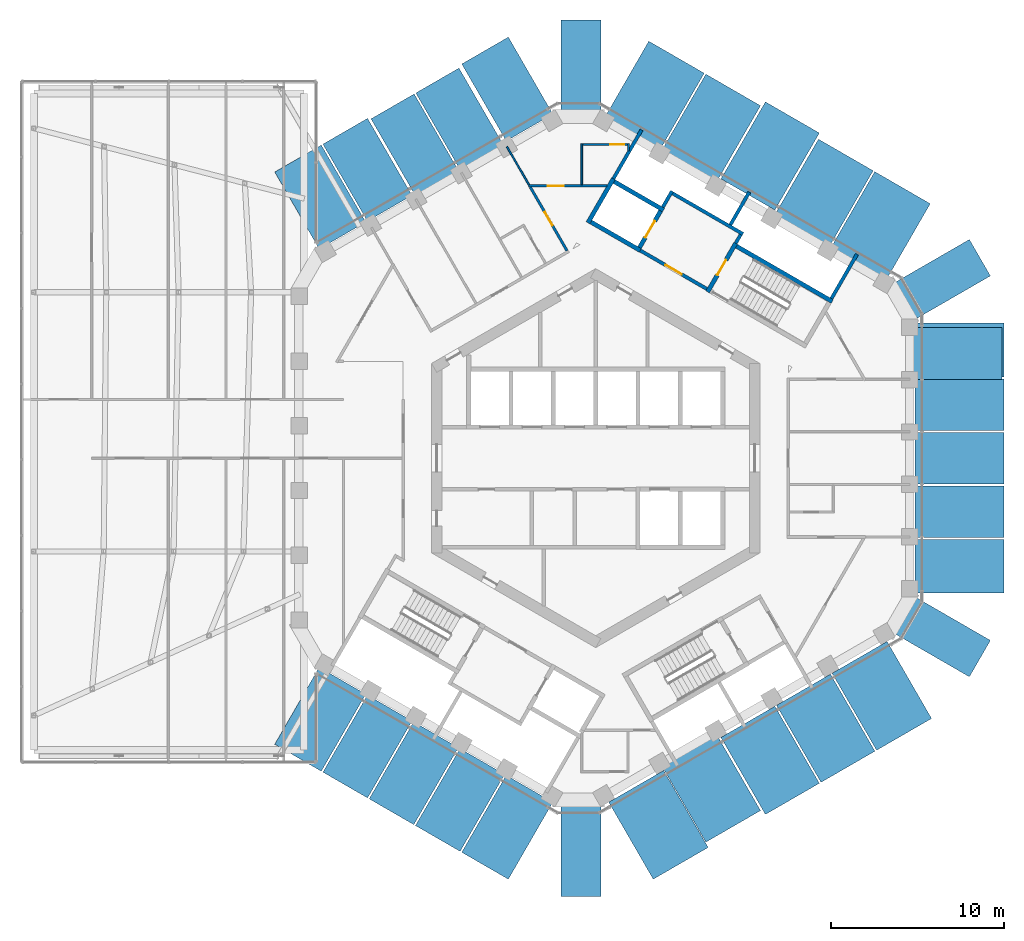
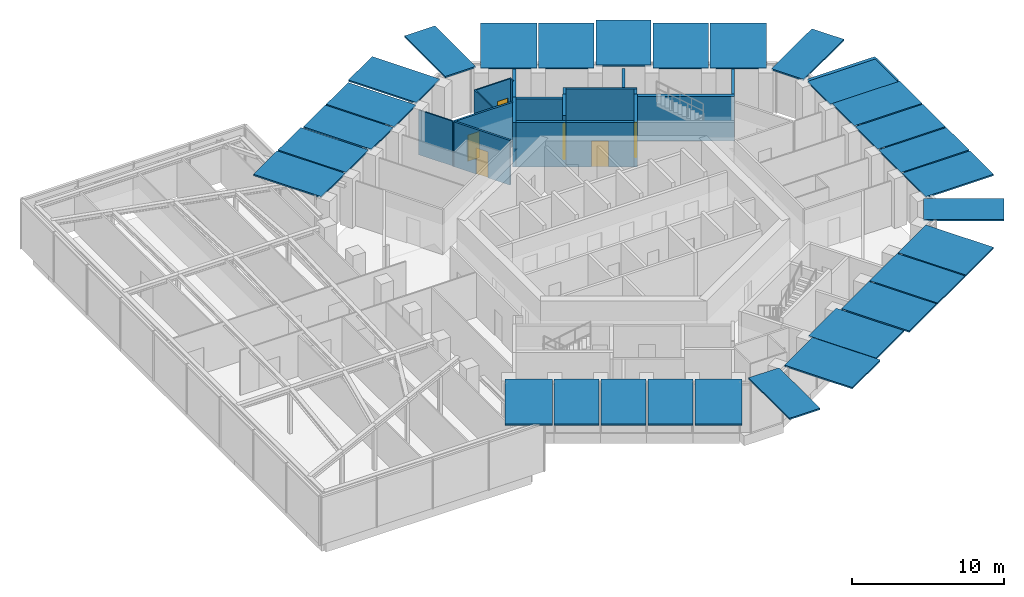
# One storey, part 19 of 24: 30 discrete accessories, 19 walls, 6 doors, 6 openings.
"""IFC4 building model written with IfcOpenShell, lengths in metres."""

from ifc_helpers import new_model, si_unit, direction, frame, frame_2d, origin, origin_2d, place, context, subcontext, project, spatial, polyline, rectangle, outline, extrude, material, layer, layer_set, type_object, element, fill, save


model = new_model("IFC4")

# Units and contexts
model_context = context("Model", 3, precision=1e-05, world=origin(), true_north=direction((0.0, 1.0)))
body_context = subcontext(model_context, "Body", "Model", "MODEL_VIEW")
ifc_project = project(units=[si_unit("LENGTHUNIT", "METRE"), si_unit("AREAUNIT", "SQUARE_METRE"), si_unit("VOLUMEUNIT", "CUBIC_METRE"), si_unit("PLANEANGLEUNIT", "RADIAN"), si_unit("MASSUNIT", "GRAM", prefix="KILO")], contexts=[model_context])

# Site, building, storey
site_placement = place(None, origin())
site = spatial("IfcSite", under=ifc_project, at=site_placement, CompositionType="ELEMENT")
building_placement = place(site_placement, origin())
building = spatial("IfcBuilding", under=site, at=building_placement, Name="Ayvan Gate Tower", CompositionType="ELEMENT")
storey_placement = place(building_placement, frame((0.0, 0.0, 210.10009765625)))
storey = spatial("IfcBuildingStorey", under=building, at=storey_placement, Name="L56", CompositionType="ELEMENT", Elevation=210.10009765625)

# Wall, opening, door
ifc_material_1 = material(Name="Plasterboard on steel stud", Category="steel")
ifc_layer_1 = layer(ifc_material_1, 0.14990234375)
ifc_layer_set_1 = layer_set([ifc_layer_1], Name="Plasterboard on steel stud")
wall_type_1 = type_object("IfcWallType", Name="WT-CORR-150", PredefinedType="PARTITIONING", material=ifc_layer_set_1)
wall_1_placement = place(storey_placement, frame((-3.8994140625, 15.75732421875, 0.0), z_axis=(0.0, 0.0, 1.0), x_axis=(1.0, 0.0, 0.0)))
wall_1 = element("IfcWall", 1, at=wall_1_placement, inside=storey, type_object=wall_type_1, Name="IW-L56-037", PredefinedType="PARTITIONING", context=body_context, shape_type="SweptSolid", body=[
    extrude(rectangle(XDim=4.55810546875, YDim=0.14990234375, at=frame_2d((2.279052734375, 0.0))), origin(), (0.0, 0.0, 1.0), 3.599853515625),
])
opening_1_placement = place(wall_1_placement, frame((1.138916015625, 0.0, 0.0)))
opening_1 = element("IfcOpeningElement", 2, at=opening_1_placement, cuts=wall_1, Name="Opening L56-D27", PredefinedType="OPENING", context=body_context, shape_type="SweptSolid", body=[
    extrude(rectangle(XDim=0.89990234375, YDim=2.10009765625, at=frame_2d((0.449951171875, 1.050048828125))), frame((0.0, 0.0849609375, 0.0), z_axis=(0.0, -1.0, 0.0), x_axis=(1.0, 0.0, 0.0)), (0.0, 0.0, 1.0), 0.169921875),
])
ifc_material_2 = material(Name="Timber door leaf", Category="wood")
door_type_1 = type_object("IfcDoorType", Name="DT-900", OperationType="NOTDEFINED", PredefinedType="DOOR", material=ifc_material_2)
door_1_placement = place(opening_1_placement, origin())
door_1 = element("IfcDoor", 3, at=door_1_placement, inside=storey, type_object=door_type_1, Name="ID-L56-027", OperationType="SINGLE_SWING_LEFT", OverallHeight=2.10009765625, OverallWidth=0.89990234375, PredefinedType="DOOR", context=body_context, shape_type="SweptSolid", body=[
    extrude(rectangle(XDim=0.89990234375, YDim=2.10009765625, at=frame_2d((0.449951171875, 1.050048828125))), frame((0.0, 0.02490234375, 0.0), z_axis=(0.0, -1.0, 0.0), x_axis=(1.0, 0.0, 0.0)), (0.0, 0.0, 1.0), 0.050048828125),
])
fill(opening_1, door_1)

wall_2_placement = place(storey_placement, frame((-1.65771484375, 12.00439453125, 0.0), z_axis=(0.0, 0.0, 1.0), x_axis=(-0.500023511883, 0.866011828767, 0.0)))
wall_2 = element("IfcWall", 4, at=wall_2_placement, inside=storey, type_object=wall_type_1, Name="IW-L56-047", PredefinedType="PARTITIONING", context=body_context, shape_type="SweptSolid", body=[
    extrude(rectangle(XDim=4.258544921875, YDim=0.14990234375, at=frame_2d((2.12939453125, 0.0))), origin(), (0.0, 0.0, 1.0), 3.599853515625),
])
opening_2_placement = place(wall_2_placement, frame((1.67919921875, 0.0, 0.0)))
opening_2 = element("IfcOpeningElement", 5, at=opening_2_placement, cuts=wall_2, Name="Opening L56-D32", PredefinedType="OPENING", context=body_context, shape_type="SweptSolid", body=[
    extrude(rectangle(XDim=0.89990234375, YDim=2.10009765625, at=frame_2d((0.449951171875, 1.050048828125))), frame((0.0, 0.0849609375, 0.0), z_axis=(0.0, -1.0, 0.0), x_axis=(1.0, 0.0, 0.0)), (0.0, 0.0, 1.0), 0.169921875),
])
door_2_placement = place(opening_2_placement, origin())
door_2 = element("IfcDoor", 6, at=door_2_placement, inside=storey, type_object=door_type_1, Name="ID-L56-032", OperationType="SINGLE_SWING_RIGHT", OverallHeight=2.10009765625, OverallWidth=0.89990234375, PredefinedType="DOOR", context=body_context, shape_type="SweptSolid", body=[
    extrude(rectangle(XDim=0.89990234375, YDim=2.10009765625, at=frame_2d((0.449951171875, 1.050048828125))), frame((0.0, 0.02490234375, 0.0), z_axis=(0.0, -1.0, 0.0), x_axis=(1.0, 0.0, 0.0)), (0.0, 0.0, 1.0), 0.050048828125),
])
fill(opening_2, door_2)

# Walls
ifc_layer_2 = layer(ifc_material_1, 0.10009765625)
ifc_layer_set_2 = layer_set([ifc_layer_2], Name="Plasterboard on steel stud")
wall_type_2 = type_object("IfcWallType", Name="WT-PART-100", PredefinedType="PARTITIONING", material=ifc_layer_set_2)
wall_3_placement = place(storey_placement, frame((-3.862060546875, 15.822509765625, 0.0), z_axis=(0.0, 0.0, 1.0), x_axis=(-0.5000066933, 0.866021539371, 0.0)))
element("IfcWall", 7, at=wall_3_placement, inside=storey, type_object=wall_type_2, Name="IW-L56-036", PredefinedType="PARTITIONING", context=body_context, shape_type="SweptSolid", body=[
    extrude(rectangle(XDim=2.552734375, YDim=0.10009765625, at=frame_2d((1.2763671875, 0.0))), origin(), (0.0, 0.0, 1.0), 3.599853515625),
])
wall_4_placement = place(storey_placement, frame((-0.801025390625, 18.20751953125, 0.0), z_axis=(0.0, 0.0, 1.0), x_axis=(0.0, -1.0, 0.0)))
element("IfcWall", 8, at=wall_4_placement, inside=storey, type_object=wall_type_2, Name="IW-L56-053", PredefinedType="PARTITIONING", context=body_context, shape_type="SweptSolid", body=[
    extrude(rectangle(XDim=2.375, YDim=0.10009765625, at=frame_2d((1.1875, 0.0))), origin(), (0.0, 0.0, 1.0), 3.599853515625),
])
wall_5_placement = place(storey_placement, frame((1.89892578125, 17.7890625, 0.0), z_axis=(0.0, 0.0, 1.0), x_axis=(0.0, 1.0, 0.0)))
element("IfcWall", 9, at=wall_5_placement, inside=storey, type_object=wall_type_2, Name="IW-L56-064", PredefinedType="PARTITIONING", context=body_context, shape_type="SweptSolid", body=[
    extrude(rectangle(XDim=0.41845703125, YDim=0.10009765625, at=frame_2d((0.209228515625, 0.0))), origin(), (0.0, 0.0, 1.0), 3.599853515625),
])

# Wall, opening, door
wall_6_placement = place(storey_placement, frame((1.84912109375, 18.157470703125, 0.0), z_axis=(0.0, 0.0, 1.0), x_axis=(-1.0, 0.0, 0.0)))
wall_6 = element("IfcWall", 10, at=wall_6_placement, inside=storey, type_object=wall_type_2, Name="IW-L56-065", PredefinedType="PARTITIONING", context=body_context, shape_type="SweptSolid", body=[
    extrude(rectangle(XDim=2.60009765625, YDim=0.10009765625, at=frame_2d((1.300048828125, 0.0))), origin(), (0.0, 0.0, 1.0), 3.599853515625),
])
opening_3_placement = place(wall_6_placement, frame((0.199951171875, 0.0, 0.0)))
opening_3 = element("IfcOpeningElement", 11, at=opening_3_placement, cuts=wall_6, Name="Opening L56-D28", PredefinedType="OPENING", context=body_context, shape_type="SweptSolid", body=[
    extrude(rectangle(XDim=0.800048828125, YDim=2.10009765625, at=frame_2d((0.39990234375, 1.050048828125))), frame((0.0, 0.06005859375, 0.0), z_axis=(0.0, -1.0, 0.0), x_axis=(1.0, 0.0, 0.0)), (0.0, 0.0, 1.0), 0.1201171875),
])
door_type_2 = type_object("IfcDoorType", Name="DT-800", OperationType="NOTDEFINED", PredefinedType="DOOR", material=ifc_material_2)
door_3_placement = place(opening_3_placement, origin())
door_3 = element("IfcDoor", 12, at=door_3_placement, inside=storey, type_object=door_type_2, Name="ID-L56-028", OperationType="SINGLE_SWING_RIGHT", OverallHeight=2.10009765625, OverallWidth=0.800048828125, PredefinedType="DOOR", context=body_context, shape_type="SweptSolid", body=[
    extrude(rectangle(XDim=0.800048828125, YDim=2.10009765625, at=frame_2d((0.39990234375, 1.050048828125))), frame((0.0, 0.02490234375, 0.0), z_axis=(0.0, -1.0, 0.0), x_axis=(1.0, 0.0, 0.0)), (0.0, 0.0, 1.0), 0.050048828125),
])
fill(opening_3, door_3)

# Walls
ifc_layer_3 = layer(ifc_material_1, 0.199951171875)
ifc_layer_set_3 = layer_set([ifc_layer_3], Name="Plasterboard on steel stud")
wall_type_3 = type_object("IfcWallType", Name="WT-PLUMB-200", PredefinedType="PLUMBINGWALL", material=ifc_layer_set_3)
wall_7_placement = place(storey_placement, frame((1.027099609375, 16.178955078125, 0.0), z_axis=(0.0, 0.0, 1.0), x_axis=(0.49995397877, 0.866051972524, 0.0)))
element("IfcWall", 13, at=wall_7_placement, inside=storey, type_object=wall_type_3, Name="IW-L56-059", PredefinedType="PLUMBINGWALL", context=body_context, shape_type="SweptSolid", body=[
    extrude(rectangle(XDim=3.255615234375, YDim=0.199951171875, at=frame_2d((1.6279296875, 0.0))), origin(), (0.0, 0.0, 1.0), 3.599853515625),
])
wall_8_placement = place(storey_placement, frame((3.885009765625, 14.52880859375, 0.0), z_axis=(0.0, 0.0, 1.0), x_axis=(0.499997628298, 0.866026773083, 0.0)))
element("IfcWall", 14, at=wall_8_placement, inside=storey, type_object=wall_type_3, Name="IW-L56-073", PredefinedType="PLUMBINGWALL", context=body_context, shape_type="SweptSolid", body=[
    extrude(rectangle(XDim=1.0751953125, YDim=0.199951171875, at=frame_2d((0.53759765625, 0.0))), origin(), (0.0, 0.0, 1.0), 3.599853515625),
])
wall_9_placement = place(storey_placement, frame((4.458984375, 15.323486328125, 0.0), z_axis=(0.0, 0.0, 1.0), x_axis=(0.866016039709, -0.500016218704, 0.0)))
element("IfcWall", 15, at=wall_9_placement, inside=storey, type_object=wall_type_3, Name="IW-L56-074", PredefinedType="PLUMBINGWALL", context=body_context, shape_type="SweptSolid", body=[
    extrude(rectangle(XDim=4.699951171875, YDim=0.199951171875, at=frame_2d((2.35009765625, 0.0))), origin(), (0.0, 0.0, 1.0), 3.599853515625),
])
wall_10_placement = place(storey_placement, frame((7.800048828125, 13.510009765625, 0.0), z_axis=(0.0, 0.0, 1.0), x_axis=(0.500016430238, 0.866015917575, 0.0)))
element("IfcWall", 16, at=wall_10_placement, inside=storey, type_object=wall_type_3, Name="IW-L56-088", PredefinedType="PLUMBINGWALL", context=body_context, shape_type="SweptSolid", body=[
    extrude(rectangle(XDim=2.1806640625, YDim=0.199951171875, at=frame_2d((1.09033203125, 0.0))), origin(), (0.0, 0.0, 1.0), 3.599853515625),
])
wall_11_placement = place(storey_placement, frame((8.392822265625, 12.936767578125, 0.0), z_axis=(0.0, 0.0, 1.0), x_axis=(-0.500065409566, -0.86598763626, 0.0)))
element("IfcWall", 17, at=wall_11_placement, inside=storey, type_object=wall_type_3, Name="IW-L56-090", PredefinedType="PLUMBINGWALL", context=body_context, shape_type="SweptSolid", body=[
    extrude(rectangle(XDim=0.5751953125, YDim=0.199951171875, at=frame_2d((0.28759765625, 0.0))), origin(), (0.0, 0.0, 1.0), 3.599853515625),
])
wall_12_placement = place(storey_placement, frame((15.125732421875, 11.798583984375, 0.0), z_axis=(0.0, 0.0, 1.0), x_axis=(-0.499967936676, -0.866043914762, 0.0)))
element("IfcWall", 18, at=wall_12_placement, inside=storey, type_object=wall_type_3, Name="IW-L56-104", PredefinedType="PLUMBINGWALL", context=body_context, shape_type="SweptSolid", body=[
    extrude(rectangle(XDim=2.955810546875, YDim=0.199951171875, at=frame_2d((1.47802734375, 0.0))), origin(), (0.0, 0.0, 1.0), 3.599853515625),
])

# Wall, opening, door
ifc_layer_4 = layer(ifc_material_1, 0.199951171875)
ifc_layer_set_4 = layer_set([ifc_layer_4], Name="Plasterboard on steel stud")
wall_type_4 = type_object("IfcWallType", Name="WT-RATED-200", PredefinedType="PARTITIONING", material=ifc_layer_set_4)
wall_13_placement = place(storey_placement, frame((6.4345703125, 9.794921875, 0.0), z_axis=(0.0, 0.0, 1.0), x_axis=(-0.866012907634, 0.500021643343, 0.0)))
wall_13 = element("IfcWall", 19, at=wall_13_placement, inside=storey, type_object=wall_type_4, Name="IW-L56-079", PredefinedType="PARTITIONING", context=body_context, shape_type="SweptSolid", body=[
    extrude(rectangle(XDim=4.449951171875, YDim=0.199951171875, at=frame_2d((2.22509765625, 0.0))), origin(), (0.0, 0.0, 1.0), 3.599853515625),
])
opening_4_placement = place(wall_13_placement, frame((1.675048828125, 0.0, 0.0)))
opening_4 = element("IfcOpeningElement", 20, at=opening_4_placement, cuts=wall_13, Name="Opening L56-D13", PredefinedType="OPENING", context=body_context, shape_type="SweptSolid", body=[
    extrude(rectangle(XDim=1.10009765625, YDim=2.10009765625, at=frame_2d((0.550048828125, 1.050048828125))), frame((0.0, 0.10986328125, 0.0), z_axis=(0.0, -1.0, 0.0), x_axis=(1.0, 0.0, 0.0)), (0.0, 0.0, 1.0), 0.219970703125),
])
door_type_3 = type_object("IfcDoorType", Name="DT-1100", OperationType="NOTDEFINED", PredefinedType="DOOR", material=ifc_material_2)
door_4_placement = place(opening_4_placement, origin())
door_4 = element("IfcDoor", 21, at=door_4_placement, inside=storey, type_object=door_type_3, Name="ID-L56-013", OperationType="SINGLE_SWING_LEFT", OverallHeight=2.10009765625, OverallWidth=1.10009765625, PredefinedType="DOOR", context=body_context, shape_type="SweptSolid", body=[
    extrude(rectangle(XDim=1.10009765625, YDim=2.10009765625, at=frame_2d((0.550048828125, 1.050048828125))), frame((0.0, 0.02490234375, 0.0), z_axis=(0.0, -1.0, 0.0), x_axis=(1.0, 0.0, 0.0)), (0.0, 0.0, 1.0), 0.050048828125),
])
fill(opening_4, door_4)

# Walls
ifc_material_3 = material(Name="Concrete C50/60", Category="concrete")
ifc_layer_5 = layer(ifc_material_3, 0.25)
ifc_layer_set_5 = layer_set([ifc_layer_5], Name="Concrete C50/60")
wall_type_5 = type_object("IfcWallType", Name="WT-RC-250", PredefinedType="SHEAR", material=ifc_layer_set_5)
wall_14_placement = place(storey_placement, frame((-0.447998046875, 13.624267578125, 0.0), z_axis=(0.0, 0.0, 1.0), x_axis=(0.500037662692, 0.866003658127, 0.0)))
element("IfcWall", 22, at=wall_14_placement, inside=storey, type_object=wall_type_5, Name="IW-L56-055", PredefinedType="SHEAR", context=body_context, shape_type="SweptSolid", body=[
    extrude(rectangle(XDim=2.949951171875, YDim=0.25, at=frame_2d((1.47509765625, 0.0))), origin(), (0.0, 0.0, 1.0), 3.599853515625),
])
for number, where, z_axis, x_axis, name in (
    (23, (1.072998046875, 16.00830078125, 0.0), (0.0, 0.0, 1.0), (0.866040211805, -0.499974350878, 0.0), "IW-L56-060"),
    (24, (2.580810546875, 12.02001953125, 0.0), (0.0, 0.0, 1.0), (-0.866040211805, 0.499974350878, 0.0), "IW-L56-068"),
):
    element("IfcWall", number, at=place(storey_placement, frame(where, z_axis=z_axis, x_axis=x_axis)), inside=storey, type_object=wall_type_5, Name=name, PredefinedType="SHEAR", context=body_context, shape_type="SweptSolid", body=[
        extrude(rectangle(XDim=3.300048828125, YDim=0.25, at=frame_2d((1.64990234375, 0.0))), origin(), (0.0, 0.0, 1.0), 3.599853515625),
    ])

# Wall, opening, door
wall_15_placement = place(storey_placement, frame((2.534912109375, 12.19091796875, 0.0), z_axis=(0.0, 0.0, 1.0), x_axis=(0.500061746146, 0.865989751695, 0.0)))
wall_15 = element("IfcWall", 25, at=wall_15_placement, inside=storey, type_object=wall_type_5, Name="IW-L56-069", PredefinedType="SHEAR", context=body_context, shape_type="SweptSolid", body=[
    extrude(rectangle(XDim=2.449951171875, YDim=0.25, at=frame_2d((1.22509765625, 0.0))), origin(), (0.0, 0.0, 1.0), 4.0),
])
opening_5_placement = place(wall_15_placement, frame((0.675048828125, 0.0, 0.0)))
opening_5 = element("IfcOpeningElement", 26, at=opening_5_placement, cuts=wall_15, Name="Opening L56-LD-FF1", PredefinedType="OPENING", context=body_context, shape_type="SweptSolid", body=[
    extrude(rectangle(XDim=1.10009765625, YDim=2.10009765625, at=frame_2d((0.550048828125, 1.050048828125))), frame((0.0, 0.135009765625, 0.0), z_axis=(0.0, -1.0, 0.0), x_axis=(1.0, 0.0, 0.0)), (0.0, 0.0, 1.0), 0.27001953125),
])
ifc_material_4 = material(Name="Stainless steel landing door", Category="steel")
door_type_4 = type_object("IfcDoorType", Name="DT-LANDING-1100", OperationType="SLIDING_TO_LEFT", PredefinedType="DOOR", material=ifc_material_4)
door_5_placement = place(opening_5_placement, origin())
door_5 = element("IfcDoor", 27, at=door_5_placement, inside=storey, type_object=door_type_4, Name="ID-L56-014", OperationType="SLIDING_TO_LEFT", OverallHeight=2.10009765625, OverallWidth=1.10009765625, PredefinedType="DOOR", context=body_context, shape_type="SweptSolid", body=[
    extrude(rectangle(XDim=1.10009765625, YDim=2.10009765625, at=frame_2d((0.550048828125, 1.050048828125))), frame((0.0, 0.02490234375, 0.0), z_axis=(0.0, -1.0, 0.0), x_axis=(1.0, 0.0, 0.0)), (0.0, 0.0, 1.0), 0.050048828125),
])
fill(opening_5, door_5)

wall_16_placement = place(storey_placement, frame((6.480224609375, 9.624267578125, 0.0), z_axis=(0.0, 0.0, 1.0), x_axis=(0.500017246033, 0.866015446554, 0.0)))
wall_16 = element("IfcWall", 28, at=wall_16_placement, inside=storey, type_object=wall_type_5, Name="IW-L56-080", PredefinedType="SHEAR", context=body_context, shape_type="SweptSolid", body=[
    extrude(rectangle(XDim=3.25, YDim=0.25, at=frame_2d((1.625, 0.0))), origin(), (0.0, 0.0, 1.0), 3.599853515625),
])
opening_6_placement = place(wall_16_placement, frame((1.125, 0.0, 0.0)))
opening_6 = element("IfcOpeningElement", 29, at=opening_6_placement, cuts=wall_16, Name="Opening L56-D12", PredefinedType="OPENING", context=body_context, shape_type="SweptSolid", body=[
    extrude(rectangle(XDim=1.0, YDim=2.10009765625, at=frame_2d((0.5, 1.050048828125))), frame((0.0, 0.135009765625, 0.0), z_axis=(0.0, -1.0, 0.0), x_axis=(1.0, 0.0, 0.0)), (0.0, 0.0, 1.0), 0.27001953125),
])
door_type_5 = type_object("IfcDoorType", Name="DT-1000", OperationType="NOTDEFINED", PredefinedType="DOOR", material=ifc_material_2)
door_6_placement = place(opening_6_placement, origin())
door_6 = element("IfcDoor", 30, at=door_6_placement, inside=storey, type_object=door_type_5, Name="ID-L56-012", OperationType="SINGLE_SWING_RIGHT", OverallHeight=2.10009765625, OverallWidth=1.0, PredefinedType="DOOR", context=body_context, shape_type="SweptSolid", body=[
    extrude(rectangle(XDim=1.0, YDim=2.10009765625, at=frame_2d((0.5, 1.050048828125))), frame((0.0, 0.02490234375, 0.0), z_axis=(0.0, -1.0, 0.0), x_axis=(1.0, 0.0, 0.0)), (0.0, 0.0, 1.0), 0.050048828125),
])
fill(opening_6, door_6)

# Wall
wall_17_placement = place(storey_placement, frame((8.151123046875, 12.26806640625, 0.0), z_axis=(0.0, 0.0, 1.0), x_axis=(0.866025499775, -0.499999833739, 0.0)))
element("IfcWall", 31, at=wall_17_placement, inside=storey, type_object=wall_type_5, Name="IW-L56-089", PredefinedType="SHEAR", context=body_context, shape_type="SweptSolid", body=[
    extrude(rectangle(XDim=6.39990234375, YDim=0.25, at=frame_2d((3.199951171875, 0.0))), origin(), (0.0, 0.0, 1.0), 3.599853515625),
])

# Discrete accessories
ifc_material_5 = material(Name="Stainless steel 316", Category="steel")
ifc_layer_6 = layer(ifc_material_5, 0.1201171875)
ifc_layer_set_6 = layer_set([ifc_layer_6], Name="Stainless steel 316")
discrete_accessory_type = type_object("IfcDiscreteAccessoryType", Name="Fin carrier bracket", PredefinedType="BRACKET", material=ifc_layer_set_6)
discrete_accessory_1_placement = place(storey_placement, frame((-15.945068359375, -15.11376953125, 3.8798828125), z_axis=(0.0, 0.0, 1.0), x_axis=(0.866025403784, -0.5, 0.0)))
element("IfcDiscreteAccessory", 32, at=discrete_accessory_1_placement, inside=storey, type_object=discrete_accessory_type, Name="Fin carrier 227", PredefinedType="BRACKET", context=body_context, shape_type="SweptSolid", body=[
    extrude(rectangle(XDim=3.114990234375, YDim=5.14990234375, at=origin_2d()), origin(), (0.0, 0.0, 1.0), 0.1201171875),
])
discrete_accessory_2_placement = place(storey_placement, frame((-15.945068359375, 15.11376953125, 3.8798828125), z_axis=(0.0, 0.0, 1.0), x_axis=(-0.866025403784, -0.5, 0.0)))
element("IfcDiscreteAccessory", 33, at=discrete_accessory_2_placement, inside=storey, type_object=discrete_accessory_type, Name="Fin carrier 248", PredefinedType="BRACKET", context=body_context, shape_type="SweptSolid", body=[
    extrude(rectangle(XDim=3.11474609375, YDim=5.14990234375, at=origin_2d()), origin(), (0.0, 0.0, 1.0), 0.1201171875),
])
for number, where, z_axis, x_axis, name in (
    (34, (-13.209228515625, -16.693359375, 3.8798828125), (0.0, 0.0, 1.0), (0.866025403784, -0.5, 0.0), "Fin carrier 288"),
    (35, (-13.20947265625, 16.693359375, 3.8798828125), (0.0, 0.0, 1.0), (-0.866025403784, -0.5, 0.0), "Fin carrier 308"),
    (36, (-10.53076171875, -18.23974609375, 3.8798828125), (0.0, 0.0, 1.0), (0.866025403784, -0.5, 0.0), "Fin carrier 345"),
):
    element("IfcDiscreteAccessory", number, at=place(storey_placement, frame(where, z_axis=z_axis, x_axis=x_axis)), inside=storey, type_object=discrete_accessory_type, Name=name, PredefinedType="BRACKET", context=body_context, shape_type="SweptSolid", body=[
        extrude(rectangle(XDim=2.98291015625, YDim=5.14990234375, at=origin_2d()), origin(), (0.0, 0.0, 1.0), 0.1201171875),
    ])
discrete_accessory_3_placement = place(storey_placement, frame((-10.46826171875, 18.131591796875, 3.8798828125), z_axis=(0.0, 0.0, 1.0), x_axis=(-0.866025403784, -0.5, 0.0)))
element("IfcDiscreteAccessory", 37, at=discrete_accessory_3_placement, inside=storey, type_object=discrete_accessory_type, Name="Fin carrier 353", PredefinedType="BRACKET", context=body_context, shape_type="SweptSolid", body=[
    extrude(rectangle(XDim=2.884033203125, YDim=5.14990234375, at=origin_2d()), origin(), (0.0, 0.0, 1.0), 0.1201171875),
])
discrete_accessory_4_placement = place(storey_placement, frame((-7.85205078125, -19.786376953125, 3.8798828125), z_axis=(0.0, 0.0, 1.0), x_axis=(0.866025403784, -0.5, 0.0)))
element("IfcDiscreteAccessory", 38, at=discrete_accessory_4_placement, inside=storey, type_object=discrete_accessory_type, Name="Fin carrier 397", PredefinedType="BRACKET", context=body_context, shape_type="SweptSolid", body=[
    extrude(rectangle(XDim=2.98291015625, YDim=5.14990234375, at=origin_2d()), origin(), (0.0, 0.0, 1.0), 0.1201171875),
])
discrete_accessory_5_placement = place(storey_placement, frame((-7.875244140625, 19.628662109375, 3.8798828125), z_axis=(0.0, 0.0, 1.0), x_axis=(-0.866025403784, -0.5, 0.0)))
element("IfcDiscreteAccessory", 39, at=discrete_accessory_5_placement, inside=storey, type_object=discrete_accessory_type, Name="Fin carrier 398", PredefinedType="BRACKET", context=body_context, shape_type="SweptSolid", body=[
    extrude(rectangle(XDim=2.884033203125, YDim=5.14990234375, at=origin_2d()), origin(), (0.0, 0.0, 1.0), 0.1201171875),
])
discrete_accessory_6_placement = place(storey_placement, frame((-5.116455078125, -21.36572265625, 3.8798828125), z_axis=(0.0, 0.0, 1.0), x_axis=(0.866025403784, -0.5, 0.0)))
element("IfcDiscreteAccessory", 40, at=discrete_accessory_6_placement, inside=storey, type_object=discrete_accessory_type, Name="Fin carrier 453", PredefinedType="BRACKET", context=body_context, shape_type="SweptSolid", body=[
    extrude(rectangle(XDim=3.11474609375, YDim=5.14990234375, at=origin_2d()), origin(), (0.0, 0.0, 1.0), 0.1201171875),
])
discrete_accessory_7_placement = place(storey_placement, frame((-5.116455078125, 21.36572265625, 3.8798828125), z_axis=(0.0, 0.0, 1.0), x_axis=(-0.866025403784, -0.5, 0.0)))
element("IfcDiscreteAccessory", 41, at=discrete_accessory_7_placement, inside=storey, type_object=discrete_accessory_type, Name="Fin carrier 455", PredefinedType="BRACKET", context=body_context, shape_type="SweptSolid", body=[
    extrude(rectangle(XDim=3.114990234375, YDim=5.14990234375, at=origin_2d()), origin(), (0.0, 0.0, 1.0), 0.1201171875),
])
for number, where, z_axis, x_axis, name in (
    (42, (-0.8623046875, -22.6728515625, 3.8798828125), (0.0, 0.0, 1.0), (1.0, 0.0, 0.0), "Fin carrier 506"),
    (43, (-0.8623046875, 22.6728515625, 3.8798828125), (0.0, 0.0, 1.0), (-1.0, 0.0, 0.0), "Fin carrier 508"),
):
    element("IfcDiscreteAccessory", number, at=place(storey_placement, frame(where, z_axis=z_axis, x_axis=x_axis)), inside=storey, type_object=discrete_accessory_type, Name=name, PredefinedType="BRACKET", context=body_context, shape_type="SweptSolid", body=[
        extrude(rectangle(XDim=2.314453125, YDim=5.381103515625, at=origin_2d()), origin(), (0.0, 0.0, 1.0), 0.1201171875),
    ])
discrete_accessory_8_placement = place(storey_placement, frame((3.634765625, -21.2255859375, 3.8798828125), z_axis=(0.0, 0.0, 1.0), x_axis=(0.866025403784, 0.5, 0.0)))
element("IfcDiscreteAccessory", 44, at=discrete_accessory_8_placement, inside=storey, type_object=discrete_accessory_type, Name="Fin carrier 564", PredefinedType="BRACKET", context=body_context, shape_type="SweptSolid", body=[
    extrude(rectangle(XDim=3.676025390625, YDim=5.14990234375, at=origin_2d()), origin(), (0.0, 0.0, 1.0), 0.1201171875),
])
discrete_accessory_9_placement = place(storey_placement, frame((3.390380859375, 20.98046875, 3.8798828125), z_axis=(0.0, 0.0, 1.0), x_axis=(-0.866025403784, 0.5, 0.0)))
element("IfcDiscreteAccessory", 45, at=discrete_accessory_9_placement, inside=storey, type_object=discrete_accessory_type, Name="Fin carrier 565", PredefinedType="BRACKET", context=body_context, shape_type="SweptSolid", body=[
    extrude(rectangle(XDim=3.706787109375, YDim=5.14990234375, at=origin_2d()), origin(), (0.0, 0.0, 1.0), 0.1201171875),
])
for number, where, z_axis, x_axis, name in (
    (46, (6.673095703125, -19.085205078125, 3.8798828125), (0.0, 0.0, 1.0), (0.866025403784, 0.5, 0.0), "Fin carrier 619"),
    (47, (6.673095703125, 19.085205078125, 3.8798828125), (0.0, 0.0, 1.0), (-0.866025403784, 0.5, 0.0), "Fin carrier 620"),
):
    element("IfcDiscreteAccessory", number, at=place(storey_placement, frame(where, z_axis=z_axis, x_axis=x_axis)), inside=storey, type_object=discrete_accessory_type, Name=name, PredefinedType="BRACKET", context=body_context, shape_type="SweptSolid", body=[
        extrude(rectangle(XDim=3.654052734375, YDim=5.14990234375, at=origin_2d()), origin(), (0.0, 0.0, 1.0), 0.1201171875),
    ])
for number, where, z_axis, x_axis, name in (
    (48, (10.099609375, -17.492919921875, 3.8798828125), (0.0, 0.0, 1.0), (0.866025403784, 0.5, 0.0), "Fin carrier 687"),
    (49, (10.099609375, 17.4931640625, 3.8798828125), (0.0, 0.0, 1.0), (-0.866025403784, 0.5, 0.0), "Fin carrier 690"),
):
    element("IfcDiscreteAccessory", number, at=place(storey_placement, frame(where, z_axis=z_axis, x_axis=x_axis)), inside=storey, type_object=discrete_accessory_type, Name=name, PredefinedType="BRACKET", context=body_context, shape_type="SweptSolid", body=[
        extrude(rectangle(XDim=3.60400390625, YDim=5.14990234375, at=origin_2d()), origin(), (0.0, 0.0, 1.0), 0.1201171875),
    ])
discrete_accessory_10_placement = place(storey_placement, frame((13.31640625, -15.6357421875, 3.8798828125), z_axis=(0.0, 0.0, 1.0), x_axis=(0.866025403784, 0.5, 0.0)))
element("IfcDiscreteAccessory", 50, at=discrete_accessory_10_placement, inside=storey, type_object=discrete_accessory_type, Name="Fin carrier 730", PredefinedType="BRACKET", context=body_context, shape_type="SweptSolid", body=[
    extrude(rectangle(XDim=3.60498046875, YDim=5.14990234375, at=origin_2d()), origin(), (0.0, 0.0, 1.0), 0.1201171875),
])
discrete_accessory_11_placement = place(storey_placement, frame((13.191650390625, 15.32177734375, 3.8798828125), z_axis=(0.0, 0.0, 1.0), x_axis=(-0.866025403784, 0.5, 0.0)))
element("IfcDiscreteAccessory", 51, at=discrete_accessory_11_placement, inside=storey, type_object=discrete_accessory_type, Name="Fin carrier 747", PredefinedType="BRACKET", context=body_context, shape_type="SweptSolid", body=[
    extrude(rectangle(XDim=3.654052734375, YDim=5.14990234375, at=origin_2d()), origin(), (0.0, 0.0, 1.0), 0.1201171875),
])
discrete_accessory_12_placement = place(storey_placement, frame((16.564453125, -13.760498046875, 3.8798828125), z_axis=(0.0, 0.0, 1.0), x_axis=(0.866025403784, 0.5, 0.0)))
element("IfcDiscreteAccessory", 52, at=discrete_accessory_12_placement, inside=storey, type_object=discrete_accessory_type, Name="Fin carrier 797", PredefinedType="BRACKET", context=body_context, shape_type="SweptSolid", body=[
    extrude(rectangle(XDim=3.67578125, YDim=5.14990234375, at=origin_2d()), origin(), (0.0, 0.0, 1.0), 0.1201171875),
])
discrete_accessory_13_placement = place(storey_placement, frame((16.474365234375, 13.426513671875, 3.8798828125), z_axis=(0.0, 0.0, 1.0), x_axis=(-0.866025403784, 0.5, 0.0)))
element("IfcDiscreteAccessory", 53, at=discrete_accessory_13_placement, inside=storey, type_object=discrete_accessory_type, Name="Fin carrier 810", PredefinedType="BRACKET", context=body_context, shape_type="SweptSolid", body=[
    extrude(rectangle(XDim=3.70703125, YDim=5.14990234375, at=origin_2d()), origin(), (0.0, 0.0, 1.0), 0.1201171875),
])
for number, where, z_axis, x_axis, name in (
    (54, (19.9384765625, -10.27392578125, 3.8798828125), (0.0, 0.0, 1.0), (0.5, 0.866025403784, 0.0), "Fin carrier 899"),
    (55, (19.9384765625, 10.27392578125, 3.8798828125), (0.0, 0.0, 1.0), (-0.5, 0.866025403784, 0.0), "Fin carrier 900"),
):
    element("IfcDiscreteAccessory", number, at=place(storey_placement, frame(where, z_axis=z_axis, x_axis=x_axis)), inside=storey, type_object=discrete_accessory_type, Name=name, PredefinedType="BRACKET", context=body_context, shape_type="SweptSolid", body=[
        extrude(rectangle(XDim=2.4345703125, YDim=5.318603515625, at=origin_2d()), origin(), (0.0, 0.0, 1.0), 0.1201171875),
    ])
discrete_accessory_14_placement = place(storey_placement, frame((21.0615234375, -6.251953125, 3.8798828125), z_axis=(0.0, 0.0, 1.0), x_axis=(0.0, 1.0, 0.0)))
element("IfcDiscreteAccessory", 56, at=discrete_accessory_14_placement, inside=storey, type_object=discrete_accessory_type, Name="Fin carrier 920", PredefinedType="BRACKET", context=body_context, shape_type="SweptSolid", body=[
    extrude(rectangle(XDim=3.114990234375, YDim=5.14990234375, at=origin_2d()), origin(), (0.0, 0.0, 1.0), 0.1201171875),
])
for number, where, z_axis, x_axis, name in (
    (57, (21.0615234375, -3.093017578125, 3.8798828125), (0.0, 0.0, 1.0), (0.0, 1.0, 0.0), "Fin carrier 927"),
    (58, (21.0615234375, 0.0, 3.8798828125), (0.0, 0.0, 1.0), (0.0, 1.0, 0.0), "Fin carrier 934"),
    (59, (21.0615234375, 3.093017578125, 3.8798828125), (0.0, 0.0, 1.0), (0.0, 1.0, 0.0), "Fin carrier 938"),
):
    element("IfcDiscreteAccessory", number, at=place(storey_placement, frame(where, z_axis=z_axis, x_axis=x_axis)), inside=storey, type_object=discrete_accessory_type, Name=name, PredefinedType="BRACKET", context=body_context, shape_type="SweptSolid", body=[
        extrude(rectangle(XDim=2.98291015625, YDim=5.14990234375, at=origin_2d()), origin(), (0.0, 0.0, 1.0), 0.1201171875),
    ])
discrete_accessory_15_placement = place(storey_placement, frame((20.9365234375, 6.048583984375, 3.8798828125), z_axis=(0.0, 0.0, 1.0), x_axis=(0.0, 1.0, 0.0)))
element("IfcDiscreteAccessory", 60, at=discrete_accessory_15_placement, inside=storey, type_object=discrete_accessory_type, Name="Fin carrier 942", PredefinedType="BRACKET", context=body_context, shape_type="SweptSolid", body=[
    extrude(rectangle(XDim=3.005126953125, YDim=5.14990234375, at=origin_2d()), origin(), (0.0, 0.0, 1.0), 0.1201171875),
])
discrete_accessory_16_placement = place(storey_placement, frame((0.0, 0.0, 3.8798828125)))
element("IfcDiscreteAccessory", 61, at=discrete_accessory_16_placement, inside=storey, type_object=discrete_accessory_type, Name="Fin carrier 1140", PredefinedType="BRACKET", context=body_context, shape_type="SweptSolid", body=[
    extrude(outline(polyline([(18.486572265625, 7.809326171875), (23.636474609375, 7.809326171875), (23.636474609375, 4.694580078125), (23.511474609375, 4.694580078125), (23.511474609375, 7.551025390625), (18.486572265625, 7.551025390625), (18.486572265625, 7.809326171875)])), origin(), (0.0, 0.0, 1.0), 0.1201171875),
])

save(model, "model.ifc")
